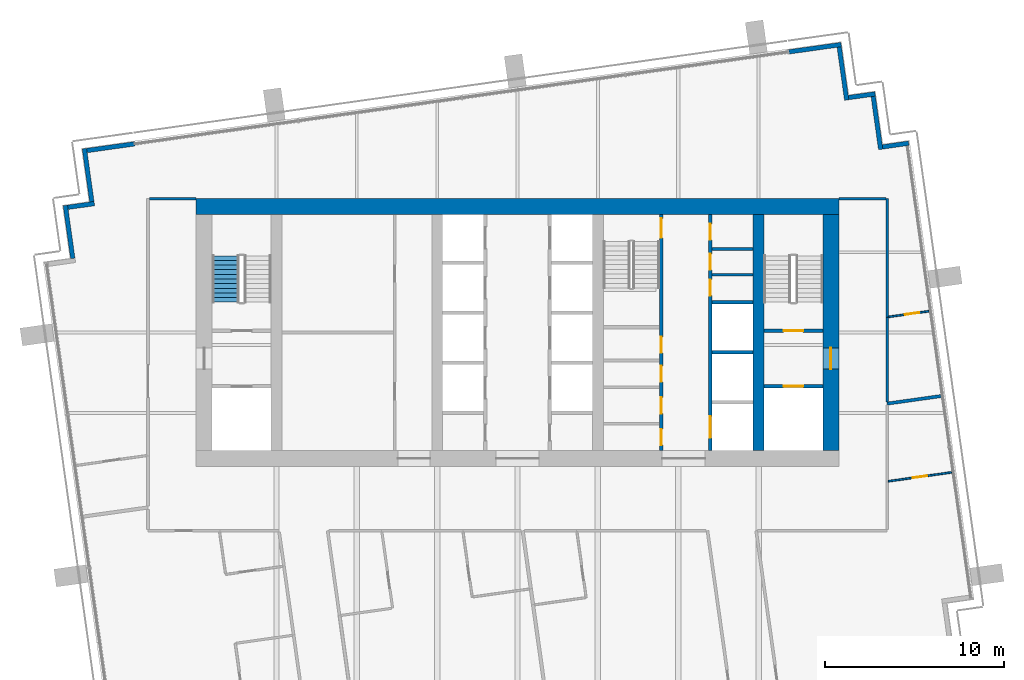
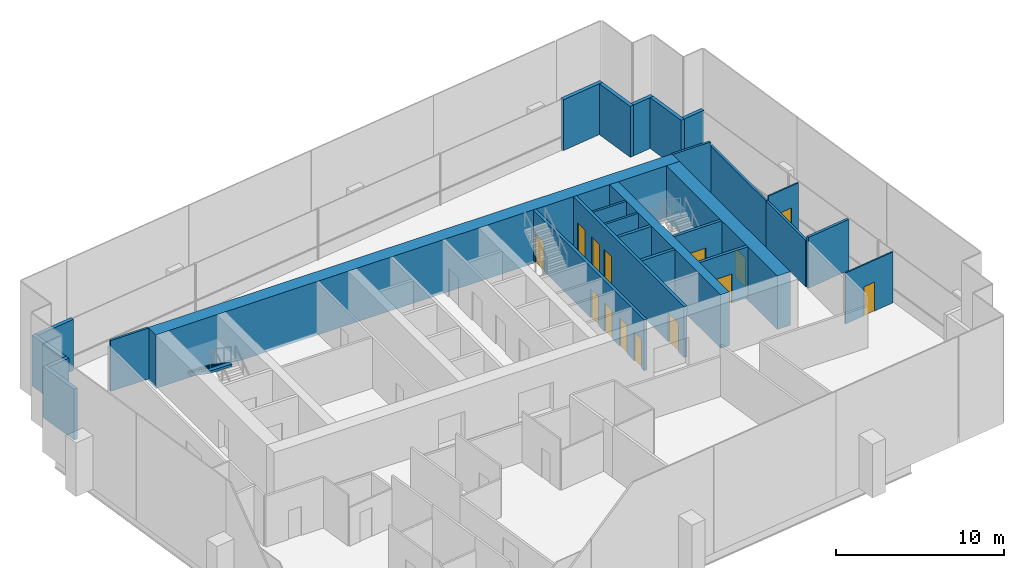
# One storey, part 10 of 15: 27 walls, 14 doors, 1 stair flight, 14 openings, 1 element without a shape of its own.
"""IFC4 building model written with IfcOpenShell, lengths in metres."""

from ifc_helpers import new_model, si_unit, direction, frame, frame_2d, origin, place, context, subcontext, project, spatial, polyline, rectangle, outline, extrude, material, layer, layer_set, type_object, element, fill, aggregate, save


model = new_model("IFC4")

# Units and contexts
model_context = context("Model", 3, precision=1e-05, world=origin(), true_north=direction((0.0, 1.0)))
body_context = subcontext(model_context, "Body", "Model", "MODEL_VIEW")
ifc_project = project(units=[si_unit("LENGTHUNIT", "METRE"), si_unit("AREAUNIT", "SQUARE_METRE"), si_unit("VOLUMEUNIT", "CUBIC_METRE"), si_unit("PLANEANGLEUNIT", "RADIAN"), si_unit("MASSUNIT", "GRAM", prefix="KILO")], contexts=[model_context])

# Site, building, storey
site_placement = place(None, origin())
site = spatial("IfcSite", under=ifc_project, at=site_placement, CompositionType="ELEMENT")
building_placement = place(site_placement, origin())
building = spatial("IfcBuilding", under=site, at=building_placement, Name="Rattan Terrace Tower", CompositionType="ELEMENT")
storey_placement = place(building_placement, frame((0.0, 0.0, 266.800048828125)))
storey = spatial("IfcBuildingStorey", under=building, at=storey_placement, Name="L61", CompositionType="ELEMENT", Elevation=266.800048828125)

# Walls
ifc_material_1 = material(Name="Gypsum board partition")
ifc_layer_1 = layer(ifc_material_1, 0.14990234375)
ifc_layer_set_1 = layer_set([ifc_layer_1], Name="Core partition 150")
wall_type_1 = type_object("IfcWallType", Name="Core partition 150", PredefinedType="PARTITIONING", material=ifc_layer_set_1)
for number, where, z_axis, x_axis, name in (
    (1, (10.89990234375, 3.239990234375, 0.0), (0.0, 0.0, 1.0), (1.0, 0.0, 0.0), "Riser room wall"),
    (2, (10.89990234375, 4.679931640625, 0.0), (0.0, 0.0, 1.0), (1.0, 0.0, 0.0), "Riser room wall"),
):
    element("IfcWall", number, at=place(storey_placement, frame(where, z_axis=z_axis, x_axis=x_axis)), inside=storey, type_object=wall_type_1, Name=name, PredefinedType="PARTITIONING", context=body_context, shape_type="SweptSolid", body=[
        extrude(rectangle(XDim=2.300048828125, YDim=0.14990234375, at=frame_2d((1.14990234375, 0.0))), origin(), (0.0, 0.0, 1.0), 3.699951171875),
    ])

# Wall, opening, door
ifc_material_2 = material(Name="Gypsum board partition")
ifc_layer_2 = layer(ifc_material_2, 0.199951171875)
ifc_layer_set_2 = layer_set([ifc_layer_2], Name="Core partition 200")
wall_type_2 = type_object("IfcWallType", Name="Core partition 200", PredefinedType="PARTITIONING", material=ifc_layer_set_2)
wall_1_placement = place(storey_placement, frame((13.800048828125, -3.0, 0.0), z_axis=(0.0, 0.0, 1.0), x_axis=(1.0, 0.0, 0.0)))
wall_1 = element("IfcWall", 3, at=wall_1_placement, inside=storey, type_object=wall_type_2, Name="Fire-fighting lobby wall", PredefinedType="PARTITIONING", context=body_context, shape_type="SweptSolid", body=[
    extrude(rectangle(XDim=3.300048828125, YDim=0.199951171875, at=frame_2d((1.64990234375, 0.0))), origin(), (0.0, 0.0, 1.0), 3.699951171875),
])
opening_1_placement = place(wall_1_placement, frame((1.10009765625, 0.0, 0.0)))
opening_1 = element("IfcOpeningElement", 4, at=opening_1_placement, cuts=wall_1, Name="Opening L61-LD-FF2", PredefinedType="OPENING", context=body_context, shape_type="SweptSolid", body=[
    extrude(rectangle(XDim=1.10009765625, YDim=2.10009765625, at=frame_2d((0.550048828125, 1.050048828125))), frame((0.0, 0.110595703125, 0.0), z_axis=(0.0, -1.0, 0.0), x_axis=(1.0, 0.0, 0.0)), (0.0, 0.0, 1.0), 0.220947265625),
])
ifc_material_3 = material(Name="Brushed stainless landing door panel")
door_type_1 = type_object("IfcDoorType", Name="Core lift landing door 1100", OperationType="DOUBLE_DOOR_SLIDING", PredefinedType="DOOR", material=ifc_material_3)
door_1_placement = place(opening_1_placement, origin())
door_1 = element("IfcDoor", 5, at=door_1_placement, inside=storey, type_object=door_type_1, Name="Door L61-LD-FF2", OperationType="DOUBLE_DOOR_SLIDING", OverallHeight=2.10009765625, OverallWidth=1.10009765625, PredefinedType="DOOR", context=body_context, shape_type="SweptSolid", body=[
    extrude(rectangle(XDim=1.10009765625, YDim=2.10009765625, at=frame_2d((0.550048828125, 1.050048828125))), frame((0.0, 0.02490234375, 0.0), z_axis=(0.0, -1.0, 0.0), x_axis=(1.0, 0.0, 0.0)), (0.0, 0.0, 1.0), 0.050048828125),
])
fill(opening_1, door_1)

wall_2_placement = place(storey_placement, frame((13.800048828125, 0.10009765625, 0.0), z_axis=(0.0, 0.0, 1.0), x_axis=(1.0, 0.0, 0.0)))
wall_2 = element("IfcWall", 6, at=wall_2_placement, inside=storey, type_object=wall_type_2, Name="Stair enclosure wall", PredefinedType="PARTITIONING", context=body_context, shape_type="SweptSolid", body=[
    extrude(rectangle(XDim=3.300048828125, YDim=0.199951171875, at=frame_2d((1.64990234375, 0.0))), origin(), (0.0, 0.0, 1.0), 3.699951171875),
])
opening_2_placement = place(wall_2_placement, frame((1.10009765625, 0.0, 0.0)))
opening_2 = element("IfcOpeningElement", 7, at=opening_2_placement, cuts=wall_2, Name="Opening L61-D004", PredefinedType="OPENING", context=body_context, shape_type="SweptSolid", body=[
    extrude(rectangle(XDim=1.10009765625, YDim=2.10009765625, at=frame_2d((0.550048828125, 1.050048828125))), frame((0.0, 0.110595703125, 0.0), z_axis=(0.0, -1.0, 0.0), x_axis=(1.0, 0.0, 0.0)), (0.0, 0.0, 1.0), 0.220947265625),
])
ifc_material_4 = material(Name="Hollow-metal fire door leaf")
door_type_2 = type_object("IfcDoorType", Name="Core stair door 1100", OperationType="NOTDEFINED", PredefinedType="DOOR", material=ifc_material_4)
door_2_placement = place(opening_2_placement, origin())
door_2 = element("IfcDoor", 8, at=door_2_placement, inside=storey, type_object=door_type_2, Name="Door L61-D004", OperationType="SINGLE_SWING_RIGHT", OverallHeight=2.10009765625, OverallWidth=1.10009765625, PredefinedType="DOOR", context=body_context, shape_type="SweptSolid", body=[
    extrude(rectangle(XDim=1.10009765625, YDim=2.10009765625, at=frame_2d((0.550048828125, 1.050048828125))), frame((0.0, 0.02490234375, 0.0), z_axis=(0.0, -1.0, 0.0), x_axis=(1.0, 0.0, 0.0)), (0.0, 0.0, 1.0), 0.050048828125),
])
fill(opening_2, door_2)

# Wall, openings, doors
wall_3_placement = place(storey_placement, frame((8.050048828125, -6.60009765625, 0.0), z_axis=(0.0, 0.0, 1.0), x_axis=(0.0, 1.0, 0.0)))
wall_3 = element("IfcWall", 9, at=wall_3_placement, inside=storey, type_object=wall_type_2, Name="Lobby wall west", PredefinedType="PARTITIONING", context=body_context, shape_type="SweptSolid", body=[
    extrude(rectangle(XDim=13.2001953125, YDim=0.199951171875, at=frame_2d((6.60009765625, 0.0))), origin(), (0.0, 0.0, 1.0), 3.699951171875),
])
opening_3_placement = place(wall_3_placement, frame((0.298095703125, 0.0, 0.0)))
opening_3 = element("IfcOpeningElement", 10, at=opening_3_placement, cuts=wall_3, Name="Opening L61-D011", PredefinedType="OPENING", context=body_context, shape_type="SweptSolid", body=[
    extrude(rectangle(XDim=0.89990234375, YDim=2.10009765625, at=frame_2d((0.449951171875, 1.050048828125))), frame((0.0, 0.110595703125, 0.0), z_axis=(0.0, -1.0, 0.0), x_axis=(1.0, 0.0, 0.0)), (0.0, 0.0, 1.0), 0.220947265625),
])
opening_4_placement = place(wall_3_placement, frame((2.06591796875, 0.0, 0.0)))
opening_4 = element("IfcOpeningElement", 11, at=opening_4_placement, cuts=wall_3, Name="Opening L61-D012", PredefinedType="OPENING", context=body_context, shape_type="SweptSolid", body=[
    extrude(rectangle(XDim=0.89990234375, YDim=2.10009765625, at=frame_2d((0.449951171875, 1.050048828125))), frame((0.0, 0.110595703125, 0.0), z_axis=(0.0, -1.0, 0.0), x_axis=(1.0, 0.0, 0.0)), (0.0, 0.0, 1.0), 0.220947265625),
])
opening_5_placement = place(wall_3_placement, frame((3.833984375, 0.0, 0.0)))
opening_5 = element("IfcOpeningElement", 12, at=opening_5_placement, cuts=wall_3, Name="Opening L61-D013", PredefinedType="OPENING", context=body_context, shape_type="SweptSolid", body=[
    extrude(rectangle(XDim=0.89990234375, YDim=2.10009765625, at=frame_2d((0.449951171875, 1.050048828125))), frame((0.0, 0.110595703125, 0.0), z_axis=(0.0, -1.0, 0.0), x_axis=(1.0, 0.0, 0.0)), (0.0, 0.0, 1.0), 0.220947265625),
])
opening_6_placement = place(wall_3_placement, frame((5.466064453125, 0.0, 0.0)))
opening_6 = element("IfcOpeningElement", 13, at=opening_6_placement, cuts=wall_3, Name="Opening L61-D014", PredefinedType="OPENING", context=body_context, shape_type="SweptSolid", body=[
    extrude(rectangle(XDim=0.89990234375, YDim=2.10009765625, at=frame_2d((0.449951171875, 1.050048828125))), frame((0.0, 0.110595703125, 0.0), z_axis=(0.0, -1.0, 0.0), x_axis=(1.0, 0.0, 0.0)), (0.0, 0.0, 1.0), 0.220947265625),
])
opening_7_placement = place(wall_3_placement, frame((11.89990234375, 0.0, 0.0)))
opening_7 = element("IfcOpeningElement", 14, at=opening_7_placement, cuts=wall_3, Name="Opening L61-D015", PredefinedType="OPENING", context=body_context, shape_type="SweptSolid", body=[
    extrude(rectangle(XDim=1.10009765625, YDim=2.10009765625, at=frame_2d((0.550048828125, 1.050048828125))), frame((0.0, 0.110595703125, 0.0), z_axis=(0.0, -1.0, 0.0), x_axis=(1.0, 0.0, 0.0)), (0.0, 0.0, 1.0), 0.220947265625),
])
ifc_material_5 = material(Name="Hollow-metal fire door leaf")
door_type_3 = type_object("IfcDoorType", Name="Core service room door 900", OperationType="NOTDEFINED", PredefinedType="DOOR", material=ifc_material_5)
door_3_placement = place(opening_6_placement, origin())
door_3 = element("IfcDoor", 15, at=door_3_placement, inside=storey, type_object=door_type_3, Name="Door L61-D014", OperationType="SINGLE_SWING_LEFT", OverallHeight=2.10009765625, OverallWidth=0.89990234375, PredefinedType="DOOR", context=body_context, shape_type="SweptSolid", body=[
    extrude(rectangle(XDim=0.89990234375, YDim=2.10009765625, at=frame_2d((0.449951171875, 1.050048828125))), frame((0.0, 0.02490234375, 0.0), z_axis=(0.0, -1.0, 0.0), x_axis=(1.0, 0.0, 0.0)), (0.0, 0.0, 1.0), 0.050048828125),
])
fill(opening_6, door_3)
door_4_placement = place(opening_7_placement, origin())
door_4 = element("IfcDoor", 16, at=door_4_placement, inside=storey, type_object=door_type_2, Name="Door L61-D015", OperationType="SINGLE_SWING_RIGHT", OverallHeight=2.10009765625, OverallWidth=1.10009765625, PredefinedType="DOOR", context=body_context, shape_type="SweptSolid", body=[
    extrude(rectangle(XDim=1.10009765625, YDim=2.10009765625, at=frame_2d((0.550048828125, 1.050048828125))), frame((0.0, 0.02490234375, 0.0), z_axis=(0.0, -1.0, 0.0), x_axis=(1.0, 0.0, 0.0)), (0.0, 0.0, 1.0), 0.050048828125),
])
fill(opening_7, door_4)
ifc_material_6 = material(Name="Hollow-metal fire door leaf")
door_type_4 = type_object("IfcDoorType", Name="Core toilet door 900", OperationType="NOTDEFINED", PredefinedType="DOOR", material=ifc_material_6)
door_5_placement = place(opening_3_placement, origin())
door_5 = element("IfcDoor", 17, at=door_5_placement, inside=storey, type_object=door_type_4, Name="Door L61-D011", OperationType="SINGLE_SWING_RIGHT", OverallHeight=2.10009765625, OverallWidth=0.89990234375, PredefinedType="DOOR", context=body_context, shape_type="SweptSolid", body=[
    extrude(rectangle(XDim=0.89990234375, YDim=2.10009765625, at=frame_2d((0.449951171875, 1.050048828125))), frame((0.0, 0.02490234375, 0.0), z_axis=(0.0, -1.0, 0.0), x_axis=(1.0, 0.0, 0.0)), (0.0, 0.0, 1.0), 0.050048828125),
])
fill(opening_3, door_5)
door_6_placement = place(opening_4_placement, origin())
door_6 = element("IfcDoor", 18, at=door_6_placement, inside=storey, type_object=door_type_4, Name="Door L61-D012", OperationType="SINGLE_SWING_LEFT", OverallHeight=2.10009765625, OverallWidth=0.89990234375, PredefinedType="DOOR", context=body_context, shape_type="SweptSolid", body=[
    extrude(rectangle(XDim=0.89990234375, YDim=2.10009765625, at=frame_2d((0.449951171875, 1.050048828125))), frame((0.0, 0.02490234375, 0.0), z_axis=(0.0, -1.0, 0.0), x_axis=(1.0, 0.0, 0.0)), (0.0, 0.0, 1.0), 0.050048828125),
])
fill(opening_4, door_6)
door_7_placement = place(opening_5_placement, origin())
door_7 = element("IfcDoor", 19, at=door_7_placement, inside=storey, type_object=door_type_4, Name="Door L61-D013", OperationType="SINGLE_SWING_RIGHT", OverallHeight=2.10009765625, OverallWidth=0.89990234375, PredefinedType="DOOR", context=body_context, shape_type="SweptSolid", body=[
    extrude(rectangle(XDim=0.89990234375, YDim=2.10009765625, at=frame_2d((0.449951171875, 1.050048828125))), frame((0.0, 0.02490234375, 0.0), z_axis=(0.0, -1.0, 0.0), x_axis=(1.0, 0.0, 0.0)), (0.0, 0.0, 1.0), 0.050048828125),
])
fill(opening_5, door_7)

# Wall
ifc_material_7 = material(Name="Concrete C50/60", Category="concrete")
ifc_layer_3 = layer(ifc_material_7, 0.89990234375)
ifc_layer_set_3 = layer_set([ifc_layer_3], Name="Core ring wall 900 C50/60")
wall_type_3 = type_object("IfcWallType", Name="Core ring wall 900 C50/60", PredefinedType="SHEAR", material=ifc_layer_set_3)
wall_4_placement = place(storey_placement, frame((-18.0, 7.050048828125, -0.199951171875), z_axis=(0.0, 0.0, 1.0), x_axis=(1.0, 0.0, 0.0)))
element("IfcWall", 20, at=wall_4_placement, inside=storey, type_object=wall_type_3, Name="Rear core wall north", PredefinedType="SHEAR", context=body_context, shape_type="SweptSolid", body=[
    extrude(rectangle(XDim=36.0, YDim=0.89990234375, at=frame_2d((18.0, 0.0))), origin(), (0.0, 0.0, 1.0), 3.89990234375),
])

# Wall, opening, door
wall_5_placement = place(storey_placement, frame((17.550048828125, -6.60009765625, -0.199951171875), z_axis=(0.0, 0.0, 1.0), x_axis=(0.0, 1.0, 0.0)))
wall_5 = element("IfcWall", 21, at=wall_5_placement, inside=storey, type_object=wall_type_3, Name="Rear core wall east", PredefinedType="SHEAR", context=body_context, shape_type="SweptSolid", body=[
    extrude(rectangle(XDim=13.2001953125, YDim=0.89990234375, at=frame_2d((6.60009765625, 0.0))), origin(), (0.0, 0.0, 1.0), 3.89990234375),
])
opening_8_placement = place(wall_5_placement, frame((4.550048828125, 0.0, 0.199951171875)))
opening_8 = element("IfcOpeningElement", 22, at=opening_8_placement, cuts=wall_5, Name="Opening L61-D003", PredefinedType="OPENING", context=body_context, shape_type="SweptSolid", body=[
    extrude(rectangle(XDim=1.199951171875, YDim=2.10009765625, at=frame_2d((0.60009765625, 1.050048828125))), frame((0.0, 0.46044921875, 0.0), z_axis=(0.0, -1.0, 0.0), x_axis=(1.0, 0.0, 0.0)), (0.0, 0.0, 1.0), 0.9208984375),
])
ifc_material_8 = material(Name="Hollow-metal fire door leaf")
door_type_5 = type_object("IfcDoorType", Name="Core fire-fighting lobby door 1200", OperationType="NOTDEFINED", PredefinedType="DOOR", material=ifc_material_8)
door_8_placement = place(opening_8_placement, origin())
door_8 = element("IfcDoor", 23, at=door_8_placement, inside=storey, type_object=door_type_5, Name="Door L61-D003", OperationType="SINGLE_SWING_LEFT", OverallHeight=2.10009765625, OverallWidth=1.199951171875, PredefinedType="DOOR", context=body_context, shape_type="SweptSolid", body=[
    extrude(rectangle(XDim=1.199951171875, YDim=2.10009765625, at=frame_2d((0.60009765625, 1.050048828125))), frame((0.0, 0.02490234375, 0.0), z_axis=(0.0, -1.0, 0.0), x_axis=(1.0, 0.0, 0.0)), (0.0, 0.0, 1.0), 0.050048828125),
])
fill(opening_8, door_8)

# Walls
ifc_material_9 = material(Name="Concrete C50/60", Category="concrete")
ifc_layer_4 = layer(ifc_material_9, 0.60009765625)
ifc_layer_set_4 = layer_set([ifc_layer_4], Name="Core spine wall 600 C50/60")
wall_type_4 = type_object("IfcWallType", Name="Core spine wall 600 C50/60", PredefinedType="SHEAR", material=ifc_layer_set_4)
wall_6_placement = place(storey_placement, frame((13.5, -6.60009765625, -0.199951171875), z_axis=(0.0, 0.0, 1.0), x_axis=(0.0, 1.0, 0.0)))
element("IfcWall", 24, at=wall_6_placement, inside=storey, type_object=wall_type_4, Name="Core spine wall 4", PredefinedType="SHEAR", context=body_context, shape_type="SweptSolid", body=[
    extrude(rectangle(XDim=13.2001953125, YDim=0.60009765625, at=frame_2d((6.60009765625, 0.0))), origin(), (0.0, 0.0, 1.0), 3.89990234375),
])
ifc_material_10 = material(Name="Insulated aluminium-clad stud wall", Category="aluminium")
ifc_layer_5 = layer(ifc_material_10, 0.25)
ifc_layer_set_5 = layer_set([ifc_layer_5], Name="Facade Riser Wall 250")
wall_type_5 = type_object("IfcWallType", Name="Facade Riser Wall 250", PredefinedType="SOLIDWALL", material=ifc_layer_set_5)
wall_7_placement = place(storey_placement, frame((21.90625, 10.60498046875, 0.0), z_axis=(0.0, 0.0, 1.0), x_axis=(-0.990235520307, -0.13940449893, 0.0)))
element("IfcWall", 25, at=wall_7_placement, inside=storey, type_object=wall_type_5, Name="Riser wall L61-6", PredefinedType="SOLIDWALL", context=body_context, shape_type="SweptSolid", body=[
    extrude(rectangle(XDim=1.474609375, YDim=0.25, at=frame_2d((0.7373046875, 0.0))), origin(), (0.0, 0.0, 1.0), 3.699951171875),
])
wall_8_placement = place(storey_placement, frame((20.33984375, 10.25830078125, 0.0), z_axis=(0.0, 0.0, 1.0), x_axis=(-0.139393225799, 0.990237107263, 0.0)))
element("IfcWall", 26, at=wall_8_placement, inside=storey, type_object=wall_type_5, Name="Riser wall L61-7", PredefinedType="SOLIDWALL", context=body_context, shape_type="SweptSolid", body=[
    extrude(rectangle(XDim=3.000244140625, YDim=0.25, at=frame_2d((1.5, 0.0))), origin(), (0.0, 0.0, 1.0), 3.699951171875),
])
wall_9_placement = place(storey_placement, frame((20.028076171875, 13.370361328125, 0.0), z_axis=(0.0, 0.0, 1.0), x_axis=(-0.990330117064, -0.138730887823, 0.0)))
element("IfcWall", 27, at=wall_9_placement, inside=storey, type_object=wall_type_5, Name="Riser wall L61-8", PredefinedType="SOLIDWALL", context=body_context, shape_type="SweptSolid", body=[
    extrude(rectangle(XDim=1.499267578125, YDim=0.25, at=frame_2d((0.74951171875, 0.0))), origin(), (0.0, 0.0, 1.0), 3.699951171875),
])
wall_10_placement = place(storey_placement, frame((18.436767578125, 13.021240234375, 0.0), z_axis=(0.0, 0.0, 1.0), x_axis=(-0.139358350296, 0.990242015975, 0.0)))
element("IfcWall", 28, at=wall_10_placement, inside=storey, type_object=wall_type_5, Name="Riser wall L61-9", PredefinedType="SOLIDWALL", context=body_context, shape_type="SweptSolid", body=[
    extrude(rectangle(XDim=2.999267578125, YDim=0.25, at=frame_2d((1.49951171875, 0.0))), origin(), (0.0, 0.0, 1.0), 3.699951171875),
])
wall_11_placement = place(storey_placement, frame((18.125244140625, 16.13232421875, 0.0), z_axis=(0.0, 0.0, 1.0), x_axis=(-0.990291981483, -0.139002846771, 0.0)))
element("IfcWall", 29, at=wall_11_placement, inside=storey, type_object=wall_type_5, Name="Riser wall L61-10", PredefinedType="SOLIDWALL", context=body_context, shape_type="SweptSolid", body=[
    extrude(rectangle(XDim=2.9541015625, YDim=0.25, at=frame_2d((1.47705078125, 0.0))), origin(), (0.0, 0.0, 1.0), 3.699951171875),
])
wall_12_placement = place(storey_placement, frame((-21.4404296875, 10.571533203125, 0.0), z_axis=(0.0, 0.0, 1.0), x_axis=(-0.990293105353, -0.138994839796, 0.0)))
element("IfcWall", 30, at=wall_12_placement, inside=storey, type_object=wall_type_5, Name="Riser wall L61-11", PredefinedType="SOLIDWALL", context=body_context, shape_type="SweptSolid", body=[
    extrude(rectangle(XDim=2.705078125, YDim=0.25, at=frame_2d((1.3525390625, 0.0))), origin(), (0.0, 0.0, 1.0), 3.699951171875),
])
wall_13_placement = place(storey_placement, frame((-24.260498046875, 10.302001953125, 0.0), z_axis=(0.0, 0.0, 1.0), x_axis=(0.138994228812, -0.990293191109, 0.0)))
element("IfcWall", 31, at=wall_13_placement, inside=storey, type_object=wall_type_5, Name="Riser wall L61-12", PredefinedType="SOLIDWALL", context=body_context, shape_type="SweptSolid", body=[
    extrude(rectangle(XDim=3.0, YDim=0.25, at=frame_2d((1.5, 0.0))), origin(), (0.0, 0.0, 1.0), 3.699951171875),
])
wall_14_placement = place(storey_placement, frame((-23.7021484375, 7.224853515625, 0.0), z_axis=(0.0, 0.0, 1.0), x_axis=(-0.990243596651, -0.13934711799, 0.0)))
element("IfcWall", 32, at=wall_14_placement, inside=storey, type_object=wall_type_5, Name="Riser wall L61-13", PredefinedType="SOLIDWALL", context=body_context, shape_type="SweptSolid", body=[
    extrude(rectangle(XDim=1.499755859375, YDim=0.25, at=frame_2d((0.75, 0.0))), origin(), (0.0, 0.0, 1.0), 3.699951171875),
])
wall_15_placement = place(storey_placement, frame((-25.328369140625, 7.1220703125, 0.0), z_axis=(0.0, 0.0, 1.0), x_axis=(0.139358350296, -0.990242015975, 0.0)))
element("IfcWall", 33, at=wall_15_placement, inside=storey, type_object=wall_type_5, Name="Riser wall L61-14", PredefinedType="SOLIDWALL", context=body_context, shape_type="SweptSolid", body=[
    extrude(rectangle(XDim=2.999267578125, YDim=0.25, at=frame_2d((1.49951171875, 0.0))), origin(), (0.0, 0.0, 1.0), 3.699951171875),
])
ifc_material_11 = material(Name="Double steel stud acoustic partition, gypsum board, mineral wool, fire rated", Category="steel")
ifc_layer_6 = layer(ifc_material_11, 0.179931640625)
ifc_layer_set_6 = layer_set([ifc_layer_6], Name="Floors Acoustic Party Wall 180")
wall_type_6 = type_object("IfcWallType", Name="Floors Acoustic Party Wall 180", PredefinedType="PARTITIONING", material=ifc_layer_set_6)
wall_16_placement = place(storey_placement, frame((20.699951171875, -3.97900390625, 0.0), z_axis=(0.0, 0.0, 1.0), x_axis=(0.990284458693, 0.139056430527, 0.0)))
element("IfcWall", 34, at=wall_16_placement, inside=storey, type_object=wall_type_6, Name="pt-L61-034", PredefinedType="PARTITIONING", context=body_context, shape_type="SweptSolid", body=[
    extrude(rectangle(XDim=3.03564453125, YDim=0.179931640625, at=frame_2d((1.517822265625, 0.0))), origin(), (0.0, 0.0, 1.0), 3.699951171875),
])

# Wall, opening, door
ifc_material_12 = material(Name="Gypsum board partition on steel studs", Category="steel")
ifc_layer_7 = layer(ifc_material_12, 0.10009765625)
ifc_layer_set_7 = layer_set([ifc_layer_7], Name="Floors Partition 100")
wall_type_7 = type_object("IfcWallType", Name="Floors Partition 100", PredefinedType="PARTITIONING", material=ifc_layer_set_7)
wall_17_placement = place(storey_placement, frame((20.76806640625, -8.327880859375, 0.0), z_axis=(0.0, 0.0, 1.0), x_axis=(0.990282917859, 0.139067403067, 0.0)))
wall_17 = element("IfcWall", 35, at=wall_17_placement, inside=storey, type_object=wall_type_7, Name="pt-L61-033", PredefinedType="PARTITIONING", context=body_context, shape_type="SweptSolid", body=[
    extrude(rectangle(XDim=3.572509765625, YDim=0.10009765625, at=frame_2d((1.7861328125, 0.0))), origin(), (0.0, 0.0, 1.0), 3.699951171875),
])
opening_9_placement = place(wall_17_placement, frame((1.386962890625, 0.0, 0.0)))
opening_9 = element("IfcOpeningElement", 36, at=opening_9_placement, cuts=wall_17, Name="Opening L61-D105", PredefinedType="OPENING", context=body_context, shape_type="SweptSolid", body=[
    extrude(rectangle(XDim=0.800048828125, YDim=2.10009765625, at=frame_2d((0.39990234375, 1.050048828125))), frame((0.0, 0.060546875, 0.0), z_axis=(0.0, -1.0, 0.0), x_axis=(1.0, 0.0, 0.0)), (0.0, 0.0, 1.0), 0.12109375),
])
ifc_material_13 = material(Name="Solid core timber door, painted", Category="wood")
door_type_6 = type_object("IfcDoorType", Name="Floors Store Door 800x2100", OperationType="NOTDEFINED", PredefinedType="DOOR", material=ifc_material_13)
door_9_placement = place(opening_9_placement, origin())
door_9 = element("IfcDoor", 37, at=door_9_placement, inside=storey, type_object=door_type_6, Name="d-L61-105", OperationType="SINGLE_SWING_RIGHT", OverallHeight=2.10009765625, OverallWidth=0.800048828125, PredefinedType="DOOR", context=body_context, shape_type="SweptSolid", body=[
    extrude(rectangle(XDim=0.800048828125, YDim=2.10009765625, at=frame_2d((0.39990234375, 1.050048828125))), frame((0.0, 0.02490234375, 0.0), z_axis=(0.0, -1.0, 0.0), x_axis=(1.0, 0.0, 0.0)), (0.0, 0.0, 1.0), 0.050048828125),
])
fill(opening_9, door_9)

wall_18_placement = place(storey_placement, frame((23.037109375, 1.196044921875, 0.0), z_axis=(0.0, 0.0, 1.0), x_axis=(-0.990256119684, -0.139258096452, 0.0)))
wall_18 = element("IfcWall", 38, at=wall_18_placement, inside=storey, type_object=wall_type_7, Name="pt-L61-036", PredefinedType="PARTITIONING", context=body_context, shape_type="SweptSolid", body=[
    extrude(rectangle(XDim=2.291259765625, YDim=0.10009765625, at=frame_2d((1.1455078125, 0.0))), origin(), (0.0, 0.0, 1.0), 3.699951171875),
])
opening_10_placement = place(wall_18_placement, frame((0.547119140625, 0.0, 0.0)))
opening_10 = element("IfcOpeningElement", 39, at=opening_10_placement, cuts=wall_18, Name="Opening L61-D108", PredefinedType="OPENING", context=body_context, shape_type="SweptSolid", body=[
    extrude(rectangle(XDim=0.800048828125, YDim=2.10009765625, at=frame_2d((0.39990234375, 1.050048828125))), frame((0.0, 0.060546875, 0.0), z_axis=(0.0, -1.0, 0.0), x_axis=(1.0, 0.0, 0.0)), (0.0, 0.0, 1.0), 0.12109375),
])
door_10_placement = place(opening_10_placement, origin())
door_10 = element("IfcDoor", 40, at=door_10_placement, inside=storey, type_object=door_type_6, Name="d-L61-108", OperationType="SINGLE_SWING_LEFT", OverallHeight=2.10009765625, OverallWidth=0.800048828125, PredefinedType="DOOR", context=body_context, shape_type="SweptSolid", body=[
    extrude(rectangle(XDim=0.800048828125, YDim=2.10009765625, at=frame_2d((0.39990234375, 1.050048828125))), frame((0.0, 0.02490234375, 0.0), z_axis=(0.0, -1.0, 0.0), x_axis=(1.0, 0.0, 0.0)), (0.0, 0.0, 1.0), 0.050048828125),
])
fill(opening_10, door_10)

# Walls
ifc_material_14 = material(Name="Gypsum board partition on steel studs, fire rated", Category="steel")
ifc_layer_8 = layer(ifc_material_14, 0.14990234375)
ifc_layer_set_8 = layer_set([ifc_layer_8], Name="Floors Tenancy Wall 150")
wall_type_8 = type_object("IfcWallType", Name="Floors Tenancy Wall 150", PredefinedType="PARTITIONING", material=ifc_layer_set_8)
for number, where, z_axis, x_axis, name in (
    (41, (-20.625, 7.5009765625, 0.0), (0.0, 0.0, 1.0), (1.0, 0.0, 0.0), "pt-L61-013"),
    (42, (18.0, 7.5009765625, 0.0), (0.0, 0.0, 1.0), (1.0, 0.0, 0.0), "pt-L61-014"),
):
    element("IfcWall", number, at=place(storey_placement, frame(where, z_axis=z_axis, x_axis=x_axis)), inside=storey, type_object=wall_type_8, Name=name, PredefinedType="PARTITIONING", context=body_context, shape_type="SweptSolid", body=[
        extrude(rectangle(XDim=2.625, YDim=0.14990234375, at=frame_2d((1.3125, 0.0))), origin(), (0.0, 0.0, 1.0), 3.699951171875),
    ])
wall_19_placement = place(storey_placement, frame((20.699951171875, 7.5, 0.0), z_axis=(0.0, 0.0, 1.0), x_axis=(0.0, -1.0, 0.0)))
element("IfcWall", 43, at=wall_19_placement, inside=storey, type_object=wall_type_8, Name="pt-L61-015", PredefinedType="PARTITIONING", context=body_context, shape_type="SweptSolid", body=[
    extrude(rectangle(XDim=6.652099609375, YDim=0.14990234375, at=frame_2d((3.326171875, 0.0))), origin(), (0.0, 0.0, 1.0), 3.39990234375),
])
wall_20_placement = place(storey_placement, frame((20.699951171875, 0.847900390625, 0.0), z_axis=(0.0, 0.0, 1.0), x_axis=(0.0, -1.0, 0.0)))
element("IfcWall", 44, at=wall_20_placement, inside=storey, type_object=wall_type_8, Name="pt-L61-017", PredefinedType="PARTITIONING", context=body_context, shape_type="SweptSolid", body=[
    extrude(rectangle(XDim=4.725830078125, YDim=0.14990234375, at=frame_2d((2.36279296875, 0.0))), origin(), (0.0, 0.0, 1.0), 3.39990234375),
])

# Wall, openings, doors
ifc_material_15 = material(Name="Gypsum shaft wall system")
ifc_layer_9 = layer(ifc_material_15, 0.199951171875)
ifc_layer_set_9 = layer_set([ifc_layer_9], Name="Lift shaft wall 200")
wall_type_9 = type_object("IfcWallType", Name="Lift shaft wall 200", PredefinedType="PARTITIONING", material=ifc_layer_set_9)
wall_21_placement = place(storey_placement, frame((10.800048828125, -6.60009765625, 0.0), z_axis=(0.0, 0.0, 1.0), x_axis=(0.0, 1.0, 0.0)))
wall_21 = element("IfcWall", 45, at=wall_21_placement, inside=storey, type_object=wall_type_9, Name="Lift shaft front wall", PredefinedType="PARTITIONING", context=body_context, shape_type="SweptSolid", body=[
    extrude(rectangle(XDim=13.2001953125, YDim=0.199951171875, at=frame_2d((6.60009765625, 0.0))), origin(), (0.0, 0.0, 1.0), 3.699951171875),
])
opening_11_placement = place(wall_21_placement, frame((0.699951171875, 0.0, 0.0)))
opening_11 = element("IfcOpeningElement", 46, at=opening_11_placement, cuts=wall_21, Name="Opening L61-LD-SV1", PredefinedType="OPENING", context=body_context, shape_type="SweptSolid", body=[
    extrude(rectangle(XDim=1.199951171875, YDim=2.10009765625, at=frame_2d((0.60009765625, 1.050048828125))), frame((0.0, 0.110595703125, 0.0), z_axis=(0.0, -1.0, 0.0), x_axis=(1.0, 0.0, 0.0)), (0.0, 0.0, 1.0), 0.220947265625),
])
opening_12_placement = place(wall_21_placement, frame((8.669921875, 0.0, 0.0)))
opening_12 = element("IfcOpeningElement", 47, at=opening_12_placement, cuts=wall_21, Name="Opening L61-D017", PredefinedType="OPENING", context=body_context, shape_type="SweptSolid", body=[
    extrude(rectangle(XDim=0.89990234375, YDim=2.10009765625, at=frame_2d((0.449951171875, 1.050048828125))), frame((0.0, 0.110595703125, 0.0), z_axis=(0.0, -1.0, 0.0), x_axis=(1.0, 0.0, 0.0)), (0.0, 0.0, 1.0), 0.220947265625),
])
opening_13_placement = place(wall_21_placement, frame((10.110107421875, 0.0, 0.0)))
opening_13 = element("IfcOpeningElement", 48, at=opening_13_placement, cuts=wall_21, Name="Opening L61-D018", PredefinedType="OPENING", context=body_context, shape_type="SweptSolid", body=[
    extrude(rectangle(XDim=0.89990234375, YDim=2.10009765625, at=frame_2d((0.449951171875, 1.050048828125))), frame((0.0, 0.110595703125, 0.0), z_axis=(0.0, -1.0, 0.0), x_axis=(1.0, 0.0, 0.0)), (0.0, 0.0, 1.0), 0.220947265625),
])
opening_14_placement = place(wall_21_placement, frame((11.7900390625, 0.0, 0.0)))
opening_14 = element("IfcOpeningElement", 49, at=opening_14_placement, cuts=wall_21, Name="Opening L61-D019", PredefinedType="OPENING", context=body_context, shape_type="SweptSolid", body=[
    extrude(rectangle(XDim=0.89990234375, YDim=2.10009765625, at=frame_2d((0.449951171875, 1.050048828125))), frame((0.0, 0.110595703125, 0.0), z_axis=(0.0, -1.0, 0.0), x_axis=(1.0, 0.0, 0.0)), (0.0, 0.0, 1.0), 0.220947265625),
])
ifc_material_16 = material(Name="Brushed stainless landing door panel")
door_type_7 = type_object("IfcDoorType", Name="Core lift landing door 1200", OperationType="DOUBLE_DOOR_SLIDING", PredefinedType="DOOR", material=ifc_material_16)
door_11_placement = place(opening_11_placement, origin())
door_11 = element("IfcDoor", 50, at=door_11_placement, inside=storey, type_object=door_type_7, Name="Door L61-LD-SV1", OperationType="DOUBLE_DOOR_SLIDING", OverallHeight=2.10009765625, OverallWidth=1.199951171875, PredefinedType="DOOR", context=body_context, shape_type="SweptSolid", body=[
    extrude(rectangle(XDim=1.199951171875, YDim=2.10009765625, at=frame_2d((0.60009765625, 1.050048828125))), frame((0.0, 0.02490234375, 0.0), z_axis=(0.0, -1.0, 0.0), x_axis=(1.0, 0.0, 0.0)), (0.0, 0.0, 1.0), 0.050048828125),
])
fill(opening_11, door_11)
ifc_material_17 = material(Name="Hollow-metal fire door leaf")
door_type_8 = type_object("IfcDoorType", Name="Core riser door 900", OperationType="NOTDEFINED", PredefinedType="DOOR", material=ifc_material_17)
door_12_placement = place(opening_12_placement, origin())
door_12 = element("IfcDoor", 51, at=door_12_placement, inside=storey, type_object=door_type_8, Name="Door L61-D017", OperationType="SINGLE_SWING_LEFT", OverallHeight=2.10009765625, OverallWidth=0.89990234375, PredefinedType="DOOR", context=body_context, shape_type="SweptSolid", body=[
    extrude(rectangle(XDim=0.89990234375, YDim=2.10009765625, at=frame_2d((0.449951171875, 1.050048828125))), frame((0.0, 0.02490234375, 0.0), z_axis=(0.0, -1.0, 0.0), x_axis=(1.0, 0.0, 0.0)), (0.0, 0.0, 1.0), 0.050048828125),
])
fill(opening_12, door_12)
door_13_placement = place(opening_13_placement, origin())
door_13 = element("IfcDoor", 52, at=door_13_placement, inside=storey, type_object=door_type_8, Name="Door L61-D018", OperationType="SINGLE_SWING_RIGHT", OverallHeight=2.10009765625, OverallWidth=0.89990234375, PredefinedType="DOOR", context=body_context, shape_type="SweptSolid", body=[
    extrude(rectangle(XDim=0.89990234375, YDim=2.10009765625, at=frame_2d((0.449951171875, 1.050048828125))), frame((0.0, 0.02490234375, 0.0), z_axis=(0.0, -1.0, 0.0), x_axis=(1.0, 0.0, 0.0)), (0.0, 0.0, 1.0), 0.050048828125),
])
fill(opening_13, door_13)
door_14_placement = place(opening_14_placement, origin())
door_14 = element("IfcDoor", 53, at=door_14_placement, inside=storey, type_object=door_type_3, Name="Door L61-D019", OperationType="SINGLE_SWING_LEFT", OverallHeight=2.10009765625, OverallWidth=0.89990234375, PredefinedType="DOOR", context=body_context, shape_type="SweptSolid", body=[
    extrude(rectangle(XDim=0.89990234375, YDim=2.10009765625, at=frame_2d((0.449951171875, 1.050048828125))), frame((0.0, 0.02490234375, 0.0), z_axis=(0.0, -1.0, 0.0), x_axis=(1.0, 0.0, 0.0)), (0.0, 0.0, 1.0), 0.050048828125),
])
fill(opening_14, door_14)

# Walls
for number, where, z_axis, x_axis, name in (
    (54, (10.89990234375, -1.10009765625, 0.0), (0.0, 0.0, 1.0), (1.0, 0.0, 0.0), "Lift shaft wall"),
    (55, (10.89990234375, 1.699951171875, 0.0), (0.0, 0.0, 1.0), (1.0, 0.0, 0.0), "Lift shaft wall"),
):
    element("IfcWall", number, at=place(storey_placement, frame(where, z_axis=z_axis, x_axis=x_axis)), inside=storey, type_object=wall_type_9, Name=name, PredefinedType="PARTITIONING", context=body_context, shape_type="SweptSolid", body=[
        extrude(rectangle(XDim=2.300048828125, YDim=0.199951171875, at=frame_2d((1.14990234375, 0.0))), origin(), (0.0, 0.0, 1.0), 3.699951171875),
    ])

# Stair, stair flight
ifc_material_18 = material(Name="Concrete C40/50", Category="concrete")
stair_type = type_object("IfcStairType", Name="Core exit stair 1500", PredefinedType="HALF_TURN_STAIR", material=ifc_material_18)
stair_placement = place(storey_placement, origin())
stair = element("IfcStair", 56, at=stair_placement, inside=storey, type_object=stair_type, Name="L61 exit stair 1", PredefinedType="HALF_TURN_STAIR")
ifc_material_19 = material(Name="Concrete C40/50", Category="concrete")
stair_flight_type = type_object("IfcStairFlightType", Name="Core exit stair flight 1500", PredefinedType="STRAIGHT", material=ifc_material_19)
stair_flight_placement = place(storey_placement, frame((-16.35009765625, 4.300048828125, 1.949951171875), z_axis=(0.0, 0.0, 1.0), x_axis=(0.0, -1.0, 0.0)))
stair_flight = element("IfcStairFlight", 57, at=stair_flight_placement, type_object=stair_flight_type, Name="S1 flight 2", NumberOfRisers=11, NumberOfTreads=10, PredefinedType="STRAIGHT", RiserHeight=0.177272727, TreadLength=0.26, context=body_context, shape_type="SweptSolid", body=[
    extrude(outline(polyline([(0.0, 0.0), (0.0, 0.17724609375), (0.260009765625, 0.17724609375), (0.260009765625, 0.3544921875), (0.52001953125, 0.3544921875), (0.52001953125, 0.53173828125), (0.780029296875, 0.53173828125), (0.780029296875, 0.708984375), (1.0400390625, 0.708984375), (1.0400390625, 0.886474609375), (1.300048828125, 0.886474609375), (1.300048828125, 1.063720703125), (1.56005859375, 1.063720703125), (1.56005859375, 1.240966796875), (1.820068359375, 1.240966796875), (1.820068359375, 1.418212890625), (2.080078125, 1.418212890625), (2.080078125, 1.595458984375), (2.340087890625, 1.595458984375), (2.340087890625, 1.772705078125), (2.60009765625, 1.772705078125), (2.60009765625, 1.949951171875), (2.60009765625, 1.59130859375), (0.26611328125, 0.0), (0.0, 0.0)])), frame((0.0, 0.75, 0.0), z_axis=(0.0, -1.0, 0.0), x_axis=(1.0, 0.0, 0.0)), (0.0, 0.0, 1.0), 1.5),
])
aggregate(stair, [stair_flight])

save(model, "model.ifc")
